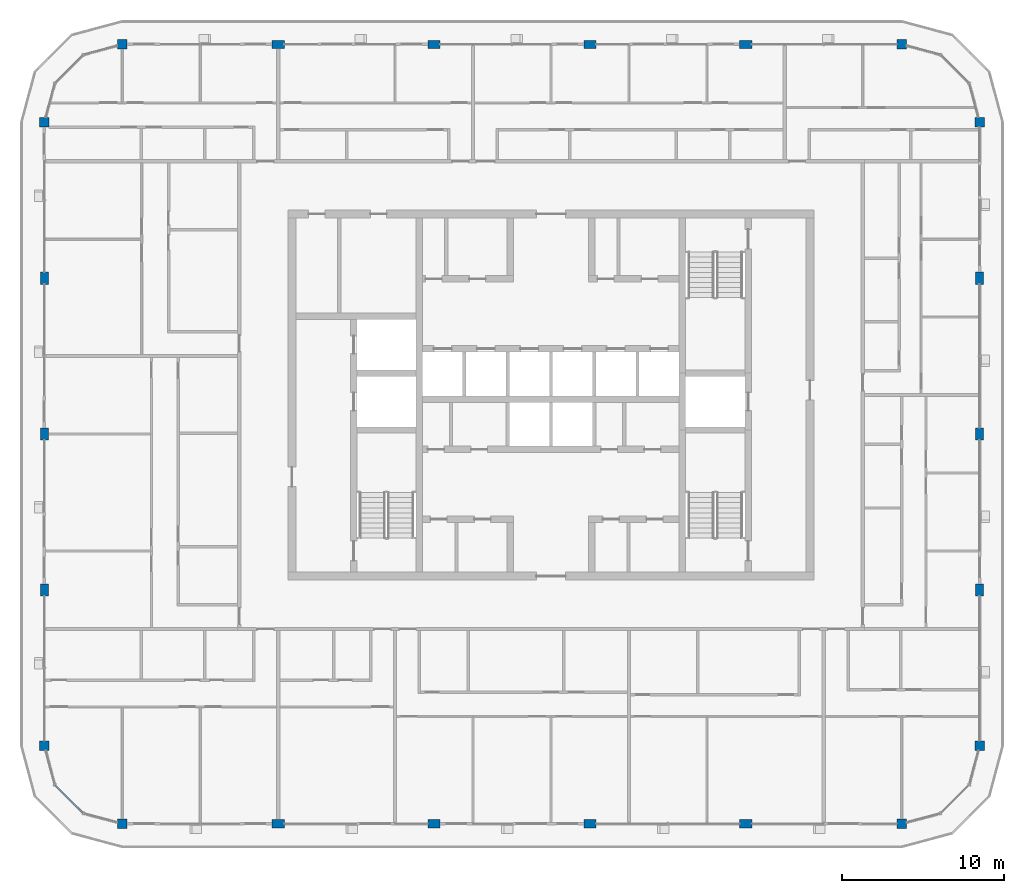
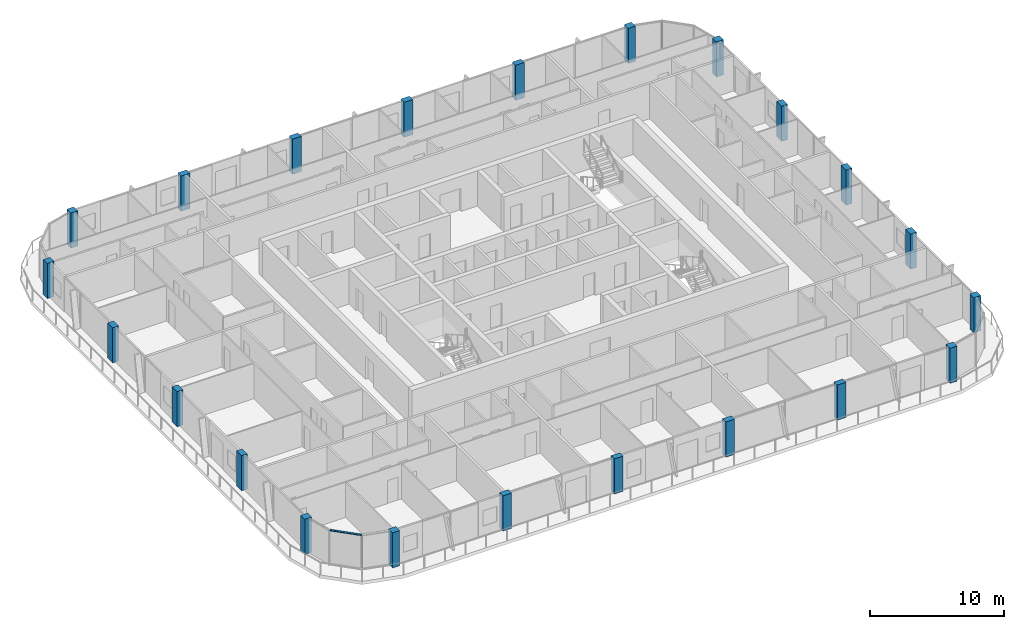
# One storey, part 1 of 22: 22 columns, 1 member, 1 element without a shape of its own.
"""IFC4 building model written with IfcOpenShell, lengths in metres."""

import ifcopenshell
import ifcopenshell.guid

model = None  # the IFC model being written
_history = None  # IfcOwnerHistory: only IFC2X3 demands one
_inside = {}  # id of a spatial element -> (the spatial element, [elements in it])
_under = {}  # id of a project, library or spatial element -> (it, [spatial elements below it])
_declared = {}  # id of a project -> (the project, [libraries it declares])
_typed = {}  # id of a type object -> (the type object, [elements of that type])
_made_of = {}  # id of a material, layer set ... -> (it, [elements and type objects made of it])


def new_model(schema):
    """Start an empty IFC model of exactly this schema.

    Asked for "IFC4X3", IfcOpenShell would pick the latest addendum, in which some entities
    have other attributes; the version numbers below select the first issue.
    IFC2X3 requires an IfcOwnerHistory on every rooted entity: one is made here for all.
    """
    global model, _history
    if schema == "IFC4X3":
        model = ifcopenshell.file(schema_version=(4, 3, 0, 0))
    else:
        model = ifcopenshell.file(schema=schema)
    _inside.clear()
    _under.clear()
    _declared.clear()
    _typed.clear()
    _made_of.clear()
    _history = None
    if model.schema == "IFC2X3":
        org = make("IfcOrganization", Name="unknown")
        user = make(
            "IfcPersonAndOrganization",
            ThePerson=make("IfcPerson", FamilyName="unknown"),
            TheOrganization=org,
        )
        app = make(
            "IfcApplication",
            ApplicationDeveloper=org,
            Version="unknown",
            ApplicationFullName="unknown",
            ApplicationIdentifier="unknown",
        )
        _history = make(
            "IfcOwnerHistory",
            OwningUser=user,
            OwningApplication=app,
            ChangeAction="ADDED",
            CreationDate=0,
        )
    return model


def make(cls, **values):
    """One entity of the class cls with the attributes given. An attribute that is None is left unset."""
    return model.create_entity(
        cls, **{name: value for name, value in values.items() if value is not None}
    )


def rooted(cls, **values):
    """An entity with a GlobalId (a new one), such as an element, a storey or a relation."""
    return make(cls, GlobalId=ifcopenshell.guid.new(), OwnerHistory=_history, **values)


def si_unit(unit_type, name, prefix=None):
    """IfcSIUnit, for example si_unit("LENGTHUNIT", "METRE", prefix="MILLI")."""
    return make("IfcSIUnit", UnitType=unit_type, Prefix=prefix, Name=name)


def assignment(units):
    """IfcUnitAssignment: the units of a project."""
    return None if units is None else make("IfcUnitAssignment", Units=units)


def point(xyz):
    """IfcCartesianPoint."""
    return None if xyz is None else make("IfcCartesianPoint", Coordinates=xyz)


def direction(xyz):
    """IfcDirection."""
    return None if xyz is None else make("IfcDirection", DirectionRatios=xyz)


def frame(location, z_axis=None, x_axis=None):
    """IfcAxis2Placement3D, a coordinate frame: its origin and axes. An axis left out is left unset."""
    return make(
        "IfcAxis2Placement3D",
        Location=point(location),
        Axis=direction(z_axis),
        RefDirection=direction(x_axis),
    )


def frame_2d(location, x_axis=None):
    """IfcAxis2Placement2D, a coordinate frame in the plane: its origin and x axis."""
    return make(
        "IfcAxis2Placement2D", Location=point(location), RefDirection=direction(x_axis)
    )


def origin():
    """The frame at (0, 0, 0) with its axes left unset."""
    return frame((0.0, 0.0, 0.0))


def origin_2d():
    """The frame at (0, 0) in the plane with its x axis left unset."""
    return frame_2d((0.0, 0.0))


def place(relative_to, where):
    """IfcLocalPlacement: puts the frame where relative to a parent placement (None: the world)."""
    return make(
        "IfcLocalPlacement", PlacementRelTo=relative_to, RelativePlacement=where
    )


def context(
    kind, dimensions, precision=None, world=None, true_north=None, identifier=None
):
    """IfcGeometricRepresentationContext, for example the 3D "Model" context."""
    return make(
        "IfcGeometricRepresentationContext",
        ContextIdentifier=identifier,
        ContextType=kind,
        CoordinateSpaceDimension=dimensions,
        Precision=precision,
        WorldCoordinateSystem=world,
        TrueNorth=true_north,
    )


def subcontext(parent, identifier, kind, view, scale=None):
    """IfcGeometricRepresentationSubContext, for example "Body" below "Model"."""
    return make(
        "IfcGeometricRepresentationSubContext",
        ContextIdentifier=identifier,
        ContextType=kind,
        ParentContext=parent,
        TargetScale=scale,
        TargetView=view,
    )


def project(units=None, contexts=None):
    """IfcProject with its units and contexts."""
    return rooted(
        "IfcProject",
        Name="project",
        RepresentationContexts=contexts,
        UnitsInContext=assignment(units),
    )


def spatial(cls, under=None, at=None, **own):
    """A site, building, storey or space (cls), placed at a placement, below another one or the project."""
    s = rooted(cls, ObjectPlacement=at, **own)
    if under is not None:
        _under.setdefault(under.id(), (under, []))[1].append(s)
    return s


def profile(cls, at=None, kind="AREA", **sizes):
    """A parametric profile (cls). Its sizes go by their IFC names, for example OverallWidth=200.0."""
    return make(cls, ProfileType=kind, Position=at, **sizes)


def rectangle(**sizes):
    """IfcRectangleProfileDef."""
    return profile("IfcRectangleProfileDef", **sizes)


def extrude(swept, where, along, depth):
    """IfcExtrudedAreaSolid: the profile swept, set in the frame where, extruded along a direction by depth."""
    return make(
        "IfcExtrudedAreaSolid",
        SweptArea=swept,
        Position=where,
        ExtrudedDirection=direction(along),
        Depth=depth,
    )


def shape(context_of_items, identifier, shape_type, items):
    """IfcShapeRepresentation: the items that make up one representation, for example the "Body"."""
    return make(
        "IfcShapeRepresentation",
        ContextOfItems=context_of_items,
        RepresentationIdentifier=identifier,
        RepresentationType=shape_type,
        Items=items,
    )


def material(Name=None, Category=None):
    """IfcMaterial."""
    return make("IfcMaterial", Name=Name, Category=Category)


def layer(
    of_material, thickness, ventilated=None, Name=None, Category=None, Priority=None
):
    """IfcMaterialLayer: one layer of a wall or slab, of a material (None: an air gap)."""
    return make(
        "IfcMaterialLayer",
        Material=of_material,
        LayerThickness=thickness,
        IsVentilated=ventilated,
        Name=Name,
        Category=Category,
        Priority=Priority,
    )


def layer_set(layers, Name=None):
    """IfcMaterialLayerSet."""
    return make("IfcMaterialLayerSet", MaterialLayers=layers, LayerSetName=Name)


def material_profile(
    of_material, cross_section, Name=None, Category=None, Priority=None
):
    """IfcMaterialProfile: a cross section and its material."""
    return make(
        "IfcMaterialProfile",
        Name=Name,
        Material=of_material,
        Profile=cross_section,
        Priority=Priority,
        Category=Category,
    )


def profile_set(profiles, Name=None, composite=None):
    """IfcMaterialProfileSet."""
    return make(
        "IfcMaterialProfileSet",
        Name=Name,
        MaterialProfiles=profiles,
        CompositeProfile=composite,
    )


def made_of(thing, what):
    """Note that an element or type object is made of a material, layer set ...; save() writes the relation."""
    if what is not None:
        _made_of.setdefault(what.id(), (what, []))[1].append(thing)
    return thing


def type_object(cls, material=None, **own):
    """A type object (cls), such as IfcWallType, which elements share."""
    return made_of(rooted(cls, **own), material)


def element(
    cls,
    number,
    at=None,
    inside=None,
    cuts=None,
    type_object=None,
    material=None,
    context=None,
    identifier="Body",
    shape_type=None,
    held_by="IfcProductDefinitionShape",
    body=None,
    shapes=None,
    **own,
):
    """One element of the class cls, such as IfcWall. Its Tag is "e" and its number.

    at: its placement. inside: the storey or other place that contains it. cuts: it is an
    opening in that element (IfcRelVoidsElement). A single representation is given by context,
    identifier, shape_type and body (its items); several are given by shapes. held_by: the class
    of the entity that holds the representations. save() writes the other relations.
    """
    e = rooted(cls, Tag="e%d" % number, ObjectPlacement=at, **own)
    if body is not None:
        shapes = [shape(context, identifier, shape_type, body)]
    if shapes is not None:
        e.Representation = make(held_by, Representations=shapes)
    if inside is not None:
        _inside.setdefault(inside.id(), (inside, []))[1].append(e)
    if cuts is not None:
        rooted(
            "IfcRelVoidsElement", RelatingBuildingElement=cuts, RelatedOpeningElement=e
        )
    if type_object is not None:
        _typed.setdefault(type_object.id(), (type_object, []))[1].append(e)
    return made_of(e, material)


def aggregate(whole, parts):
    """IfcRelAggregates: a whole, such as a stair, and the parts it consists of."""
    return rooted("IfcRelAggregates", RelatingObject=whole, RelatedObjects=parts)


def save(model, path):
    """Write the relations noted so far, then the file.

    IfcRelAggregates (storeys below a building ...), IfcRelContainedInSpatialStructure (elements
    in a storey), IfcRelDefinesByType, IfcRelAssociatesMaterial and IfcRelDeclares: one each for
    every whole, place, type object, material and project.
    """
    for whole, parts in _under.values():
        aggregate(whole, parts)
    for where, things in _inside.values():
        rooted(
            "IfcRelContainedInSpatialStructure",
            RelatedElements=things,
            RelatingStructure=where,
        )
    for kind, things in _typed.values():
        rooted("IfcRelDefinesByType", RelatedObjects=things, RelatingType=kind)
    for what, things in _made_of.values():
        rooted("IfcRelAssociatesMaterial", RelatedObjects=things, RelatingMaterial=what)
    for by, libraries in _declared.values():
        rooted("IfcRelDeclares", RelatingContext=by, RelatedDefinitions=libraries)
    model.write(path)


model = new_model("IFC4")

# Units and contexts
model_context = context("Model", 3, precision=1e-05, world=origin(), true_north=direction((0.0, 1.0)))
body_context = subcontext(model_context, "Body", "Model", "MODEL_VIEW")
ifc_project = project(units=[si_unit("LENGTHUNIT", "METRE"), si_unit("AREAUNIT", "SQUARE_METRE"), si_unit("VOLUMEUNIT", "CUBIC_METRE"), si_unit("PLANEANGLEUNIT", "RADIAN"), si_unit("MASSUNIT", "GRAM", prefix="KILO")], contexts=[model_context])

# Site, building, storey
site_placement = place(None, origin())
site = spatial("IfcSite", under=ifc_project, at=site_placement, CompositionType="ELEMENT")
building_placement = place(site_placement, origin())
building = spatial("IfcBuilding", under=site, at=building_placement, Name="Madar Terraces", CompositionType="ELEMENT")
storey_placement = place(building_placement, frame((0.0, 0.0, 279.10009765625)))
storey = spatial("IfcBuildingStorey", under=building, at=storey_placement, Name="L73", CompositionType="ELEMENT", Elevation=279.10009765625)

# Columns
ifc_material_1 = material(Name="Concrete C50/60", Category="concrete")
ifc_material_profile_1 = material_profile(ifc_material_1, rectangle(XDim=0.75, YDim=0.5, at=origin_2d()), Name="CC6 RC 750x500")
ifc_profile_set_1 = profile_set([ifc_material_profile_1], Name="Concrete C50/60")
column_type_1 = type_object("IfcColumnType", Name="CC6 RC 750x500", PredefinedType="COLUMN", material=ifc_profile_set_1)
for number, where, z_axis, x_axis, name in (
    (1, (14.39990234375, 0.0, 0.0), (0.0, 0.0, 1.0), (1.0, 0.0, 0.0), "Perimeter column S2"),
    (2, (24.0, 0.0, 0.0), (0.0, 0.0, 1.0), (1.0, 0.0, 0.0), "Perimeter column S3"),
    (3, (33.60009765625, 0.0, 0.0), (0.0, 0.0, 1.0), (1.0, 0.0, 0.0), "Perimeter column S4"),
    (4, (43.199951171875, 0.0, 0.0), (0.0, 0.0, 1.0), (1.0, 0.0, 0.0), "Perimeter column S5"),
    (5, (57.60009765625, 14.39990234375, 0.0), (0.0, 0.0, 1.0), (0.0, 1.0, 0.0), "Perimeter column E2"),
    (6, (57.60009765625, 24.0, 0.0), (0.0, 0.0, 1.0), (0.0, 1.0, 0.0), "Perimeter column E3"),
    (7, (57.60009765625, 33.60009765625, 0.0), (0.0, 0.0, 1.0), (0.0, 1.0, 0.0), "Perimeter column E4"),
    (8, (43.199951171875, 48.0, 0.0), (0.0, 0.0, 1.0), (1.0, 0.0, 0.0), "Perimeter column N2"),
    (9, (33.60009765625, 48.0, 0.0), (0.0, 0.0, 1.0), (1.0, 0.0, 0.0), "Perimeter column N3"),
    (10, (24.0, 48.0, 0.0), (0.0, 0.0, 1.0), (1.0, 0.0, 0.0), "Perimeter column N4"),
    (11, (14.39990234375, 48.0, 0.0), (0.0, 0.0, 1.0), (1.0, 0.0, 0.0), "Perimeter column N5"),
    (12, (0.0, 33.60009765625, 0.0), (0.0, 0.0, 1.0), (0.0, 1.0, 0.0), "Perimeter column W2"),
    (13, (0.0, 24.0, 0.0), (0.0, 0.0, 1.0), (0.0, 1.0, 0.0), "Perimeter column W3"),
    (14, (0.0, 14.39990234375, 0.0), (0.0, 0.0, 1.0), (0.0, 1.0, 0.0), "Perimeter column W4"),
):
    element("IfcColumn", number, at=place(storey_placement, frame(where, z_axis=z_axis, x_axis=x_axis)), inside=storey, type_object=column_type_1, Name=name, PredefinedType="COLUMN", context=body_context, shape_type="SweptSolid", body=[
        extrude(rectangle(XDim=0.75, YDim=0.5, at=origin_2d()), origin(), (0.0, 0.0, 1.0), 3.199951171875),
    ])
ifc_material_2 = material(Name="Concrete C50/60", Category="concrete")
ifc_material_profile_2 = material_profile(ifc_material_2, rectangle(XDim=0.60009765625, YDim=0.60009765625, at=origin_2d()), Name="KC6 RC 600x600")
ifc_profile_set_2 = profile_set([ifc_material_profile_2], Name="Concrete C50/60")
column_type_2 = type_object("IfcColumnType", Name="KC6 RC 600x600", PredefinedType="COLUMN", material=ifc_profile_set_2)
for number, where, z_axis, x_axis, name in (
    (15, (4.800048828125, 0.0, 0.0), (0.0, 0.0, 1.0), (1.0, 0.0, 0.0), "Perimeter column S1"),
    (16, (52.800048828125, 0.0, 0.0), (0.0, 0.0, 1.0), (1.0, 0.0, 0.0), "Perimeter column S6"),
    (17, (57.60009765625, 4.800048828125, 0.0), (0.0, 0.0, 1.0), (1.0, 0.0, 0.0), "Perimeter column E1"),
    (18, (57.60009765625, 43.199951171875, 0.0), (0.0, 0.0, 1.0), (1.0, 0.0, 0.0), "Perimeter column E5"),
    (19, (52.800048828125, 48.0, 0.0), (0.0, 0.0, 1.0), (1.0, 0.0, 0.0), "Perimeter column N1"),
    (20, (4.800048828125, 48.0, 0.0), (0.0, 0.0, 1.0), (1.0, 0.0, 0.0), "Perimeter column N6"),
    (21, (0.0, 43.199951171875, 0.0), (0.0, 0.0, 1.0), (1.0, 0.0, 0.0), "Perimeter column W1"),
    (22, (0.0, 4.800048828125, 0.0), (0.0, 0.0, 1.0), (1.0, 0.0, 0.0), "Perimeter column W5"),
):
    element("IfcColumn", number, at=place(storey_placement, frame(where, z_axis=z_axis, x_axis=x_axis)), inside=storey, type_object=column_type_2, Name=name, PredefinedType="COLUMN", context=body_context, shape_type="SweptSolid", body=[
        extrude(rectangle(XDim=0.60009765625, YDim=0.60009765625, at=origin_2d()), origin(), (0.0, 0.0, 1.0), 3.199951171875),
    ])

# Curtain wall, member
ifc_material_3 = material(Name="Glass, ceramic frit dark grey, with black aluminium frame", Category="aluminium")
ifc_layer = layer(ifc_material_3, 0.199951171875)
ifc_layer_set = layer_set([ifc_layer], Name="Facade curtain wall, fritted glass")
curtain_wall_type = type_object("IfcCurtainWallType", Name="Facade curtain wall, fritted glass", PredefinedType="NOTDEFINED", material=ifc_layer_set)
curtain_wall_placement = place(storey_placement, origin())
curtain_wall = element("IfcCurtainWall", 23, at=curtain_wall_placement, inside=storey, type_object=curtain_wall_type, Name="Outer skin curtain wall south-west corner", PredefinedType="NOTDEFINED")
ifc_material_4 = material(Name="Aluminium, black anodised", Category="aluminium")
ifc_material_profile_3 = material_profile(ifc_material_4, rectangle(XDim=0.1201171875, YDim=0.06005859375, at=origin_2d()), Name="Facade transom 60x120")
ifc_profile_set_3 = profile_set([ifc_material_profile_3], Name="Aluminium, black anodised")
member_type = type_object("IfcMemberType", Name="Facade transom 60x120", PredefinedType="USERDEFINED", material=ifc_profile_set_3)
member_placement = place(storey_placement, frame((0.664306640625, 2.37890625, 3.169921875), z_axis=(0.707106781187, -0.707106781187, 0.0), x_axis=(0.707106781187, 0.707106781187, 0.0)))
member = element("IfcMember", 24, at=member_placement, type_object=member_type, Name="Transom 2", ObjectType="TRANSOM", PredefinedType="USERDEFINED", context=body_context, shape_type="SweptSolid", body=[
    extrude(rectangle(XDim=0.1201171875, YDim=0.06005859375, at=origin_2d()), origin(), (0.0, 0.0, 1.0), 2.4248046875),
])
aggregate(curtain_wall, [member])

save(model, "model.ifc")
